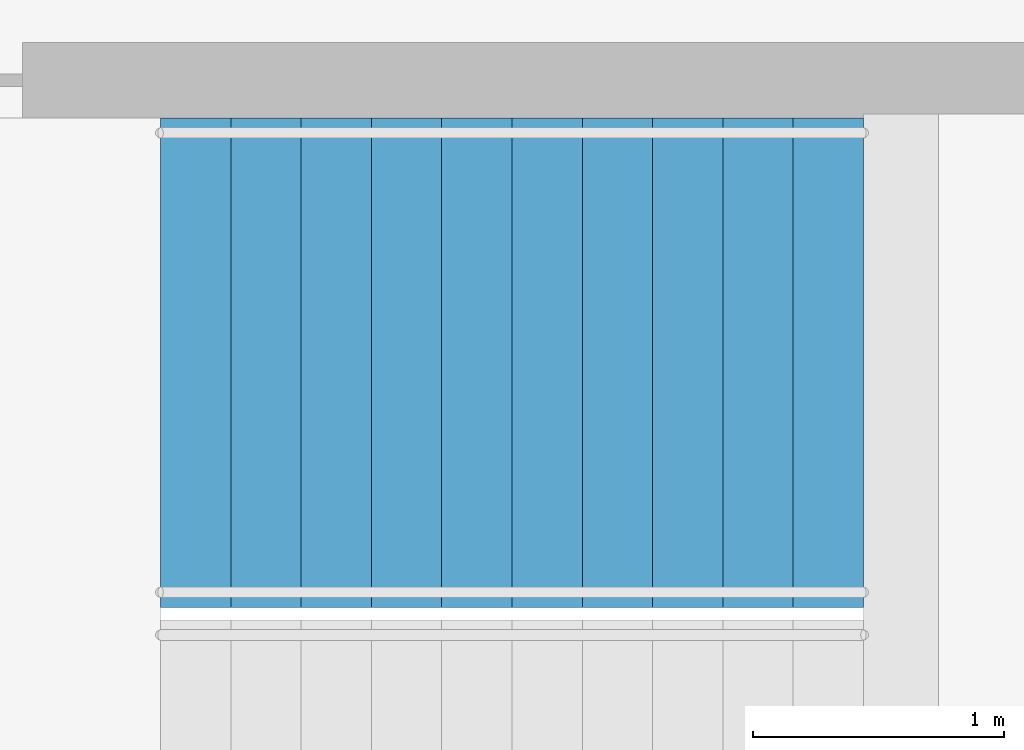
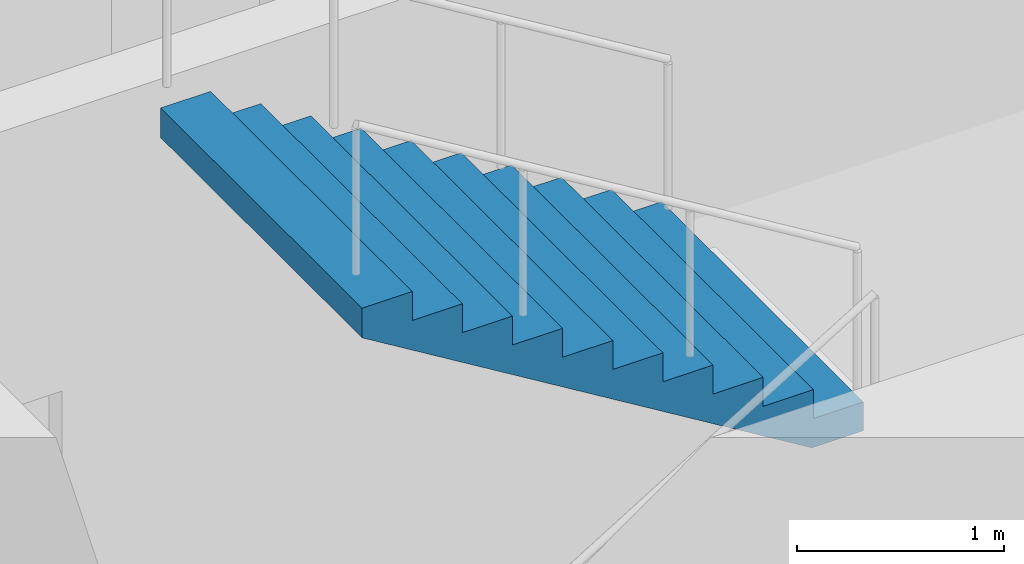
# One storey, part 21 of 24: 1 stair flight, 1 element without a shape of its own.
"""IFC4 building model written with IfcOpenShell, lengths in metres."""

from ifc_helpers import new_model, si_unit, direction, frame, origin, place, context, subcontext, project, spatial, triangles, material, type_object, element, aggregate, save


model = new_model("IFC4")

# Units and contexts
model_context = context("Model", 3, precision=1e-05, world=origin(), true_north=direction((0.0, 1.0)))
body_context = subcontext(model_context, "Body", "Model", "MODEL_VIEW")
ifc_project = project(units=[si_unit("LENGTHUNIT", "METRE"), si_unit("AREAUNIT", "SQUARE_METRE"), si_unit("VOLUMEUNIT", "CUBIC_METRE"), si_unit("PLANEANGLEUNIT", "RADIAN"), si_unit("MASSUNIT", "GRAM", prefix="KILO")], contexts=[model_context])

# Site, building, storey
site_placement = place(None, origin())
site = spatial("IfcSite", under=ifc_project, at=site_placement, CompositionType="ELEMENT")
building_placement = place(site_placement, origin())
building = spatial("IfcBuilding", under=site, at=building_placement, Name="Orbita Commons", CompositionType="ELEMENT")
storey_placement = place(building_placement, frame((0.0, 0.0, 20.199951171875)))
storey = spatial("IfcBuildingStorey", under=building, at=storey_placement, Name="L04", CompositionType="ELEMENT", Elevation=20.199951171875)

# Stair, stair flight
ifc_material_1 = material(Name="Precast concrete C40/50", Category="concrete")
stair_type = type_object("IfcStairType", Name="Exit stair S1 2 flights 11 risers 170", PredefinedType="HALF_TURN_STAIR", material=ifc_material_1)
stair_placement = place(storey_placement, origin())
stair = element("IfcStair", 1, at=stair_placement, inside=storey, type_object=stair_type, Name="Exit stair S1 L04", PredefinedType="HALF_TURN_STAIR")
ifc_material_2 = material(Name="Precast concrete C40/50", Category="concrete")
stair_flight_type = type_object("IfcStairFlightType", Name="Stair flight 11 risers 170 x 280", PredefinedType="STRAIGHT", material=ifc_material_2)
stair_flight_placement = place(storey_placement, frame((23.25, 29.27490234375, 1.875), z_axis=(0.0, 0.0, 1.0), x_axis=(-1.0, 0.0, 0.0)))
stair_flight = element("IfcStairFlight", 2, at=stair_flight_placement, type_object=stair_flight_type, Name="S1 flight 2", NumberOfRisers=11, NumberOfTreads=10, PredefinedType="STRAIGHT", RiserHeight=0.170454545, TreadLength=0.28, context=body_context, shape_type="Tessellation", body=[
    triangles([(0.0, 0.974976, 0.0), (0.0, 0.974976, 0.021307), (0.0, 0.81248, 0.021307), (0.0, 0.81248, 0.0), (0.0, 0.649984, 0.021307), (0.0, 0.649984, 0.0), (0.0, 0.487488, 0.021307), (0.0, 0.487488, 0.0), (0.0, 0.324992, 0.021307), (0.0, 0.324992, 0.0), (0.0, 0.162496, 0.021307), (0.0, 0.162496, 0.0), (0.0, 0.0, 0.021307), (0.0, 0.0, 0.0), (0.0, -0.162496, 0.021307), (0.0, -0.162496, 0.0), (0.0, -0.324992, 0.021307), (0.0, -0.324992, 0.0), (0.0, -0.487488, 0.021307), (0.0, -0.487488, 0.0), (0.0, -0.649984, 0.021307), (0.0, -0.649984, 0.0), (0.0, -0.81248, 0.021307), (0.0, -0.81248, 0.0), (0.0, -0.974976, 0.021307), (0.0, -0.974976, 0.0), (0.0, 0.974976, 0.042614), (0.0, 0.81248, 0.042614), (0.0, 0.649984, 0.042614), (0.0, 0.487488, 0.042614), (0.0, 0.324992, 0.042614), (0.0, 0.162496, 0.042614), (0.0, 0.0, 0.042614), (0.0, -0.162496, 0.042614), (0.0, -0.324992, 0.042614), (0.0, -0.487488, 0.042614), (0.0, -0.649984, 0.042614), (0.0, -0.81248, 0.042614), (0.0, -0.974976, 0.042614), (0.0, 0.974976, 0.06392), (0.0, 0.81248, 0.06392), (0.0, 0.649984, 0.06392), (0.0, 0.487488, 0.06392), (0.0, 0.324992, 0.06392), (0.0, 0.162496, 0.06392), (0.0, 0.0, 0.06392), (0.0, -0.162496, 0.06392), (0.0, -0.324992, 0.06392), (0.0, -0.487488, 0.06392), (0.0, -0.649984, 0.06392), (0.0, -0.81248, 0.06392), (0.0, -0.974976, 0.06392), (0.0, 0.974976, 0.085227), (0.0, 0.81248, 0.085227), (0.0, 0.649984, 0.085227), (0.0, 0.487488, 0.085227), (0.0, 0.324992, 0.085227), (0.0, 0.162496, 0.085227), (0.0, 0.0, 0.085227), (0.0, -0.162496, 0.085227), (0.0, -0.324992, 0.085227), (0.0, -0.487488, 0.085227), (0.0, -0.649984, 0.085227), (0.0, -0.81248, 0.085227), (0.0, -0.974976, 0.085227), (0.0, 0.974976, 0.106534), (0.0, 0.81248, 0.106534), (0.0, 0.649984, 0.106534), (0.0, 0.487488, 0.106534), (0.0, 0.324992, 0.106534), (0.0, 0.162496, 0.106534), (0.0, 0.0, 0.106534), (0.0, -0.162496, 0.106534), (0.0, -0.324992, 0.106534), (0.0, -0.487488, 0.106534), (0.0, -0.649984, 0.106534), (0.0, -0.81248, 0.106534), (0.0, -0.974976, 0.106534), (0.0, 0.974976, 0.127841), (0.0, 0.81248, 0.127841), (0.0, 0.649984, 0.127841), (0.0, 0.487488, 0.127841), (0.0, 0.324992, 0.127841), (0.0, 0.162496, 0.127841), (0.0, 0.0, 0.127841), (0.0, -0.162496, 0.127841), (0.0, -0.324992, 0.127841), (0.0, -0.487488, 0.127841), (0.0, -0.649984, 0.127841), (0.0, -0.81248, 0.127841), (0.0, -0.974976, 0.127841), (0.0, 0.974976, 0.149148), (0.0, 0.81248, 0.149148), (0.0, 0.649984, 0.149148), (0.0, 0.487488, 0.149148), (0.0, 0.324992, 0.149148), (0.0, 0.162496, 0.149148), (0.0, 0.0, 0.149148), (0.0, -0.162496, 0.149148), (0.0, -0.324992, 0.149148), (0.0, -0.487488, 0.149148), (0.0, -0.649984, 0.149148), (0.0, -0.81248, 0.149148), (0.0, -0.974976, 0.149148), (0.0, 0.974976, 0.170455), (0.0, 0.81248, 0.170455), (0.0, 0.649984, 0.170455), (0.0, 0.487488, 0.170455), (0.0, 0.324992, 0.170455), (0.0, 0.162496, 0.170455), (0.0, 0.0, 0.170455), (0.0, -0.162496, 0.170455), (0.0, -0.324992, 0.170455), (0.0, -0.487488, 0.170455), (0.0, -0.649984, 0.170455), (0.0, -0.81248, 0.170455), (0.0, -0.974976, 0.170455), (0.28, 0.974976, 0.170455), (0.28, 0.81248, 0.170455), (0.28, 0.649984, 0.170455), (0.28, 0.487488, 0.170455), (0.28, 0.324992, 0.170455), (0.28, 0.162496, 0.170455), (0.28, 0.0, 0.170455), (0.28, -0.162496, 0.170455), (0.28, -0.324992, 0.170455), (0.28, -0.487488, 0.170455), (0.28, -0.649984, 0.170455), (0.28, -0.81248, 0.170455), (0.28, -0.974976, 0.170455), (0.28, 0.974976, 0.340909), (0.28, 0.81248, 0.340909), (0.28, 0.649984, 0.340909), (0.28, 0.487488, 0.340909), (0.28, 0.324992, 0.340909), (0.28, 0.162496, 0.340909), (0.28, 0.0, 0.340909), (0.28, -0.162496, 0.340909), (0.28, -0.324992, 0.340909), (0.28, -0.487488, 0.340909), (0.28, -0.649984, 0.340909), (0.28, -0.81248, 0.340909), (0.28, -0.974976, 0.340909), (0.56, 0.974976, 0.340909), (0.56, 0.81248, 0.340909), (0.56, 0.649984, 0.340909), (0.56, 0.487488, 0.340909), (0.56, 0.324992, 0.340909), (0.56, 0.162496, 0.340909), (0.56, 0.0, 0.340909), (0.56, -0.162496, 0.340909), (0.56, -0.324992, 0.340909), (0.56, -0.487488, 0.340909), (0.56, -0.649984, 0.340909), (0.56, -0.81248, 0.340909), (0.56, -0.974976, 0.340909), (0.56, 0.974976, 0.511364), (0.56, 0.81248, 0.511364), (0.56, 0.649984, 0.511364), (0.56, 0.487488, 0.511364), (0.56, 0.324992, 0.511364), (0.56, 0.162496, 0.511364), (0.56, 0.0, 0.511364), (0.56, -0.162496, 0.511364), (0.56, -0.324992, 0.511364), (0.56, -0.487488, 0.511364), (0.56, -0.649984, 0.511364), (0.56, -0.81248, 0.511364), (0.56, -0.974976, 0.511364), (0.84, 0.974976, 0.511364), (0.84, 0.81248, 0.511364), (0.84, 0.649984, 0.511364), (0.84, 0.487488, 0.511364), (0.84, 0.324992, 0.511364), (0.84, 0.162496, 0.511364), (0.84, 0.0, 0.511364), (0.84, -0.162496, 0.511364), (0.84, -0.324992, 0.511364), (0.84, -0.487488, 0.511364), (0.84, -0.649984, 0.511364), (0.84, -0.81248, 0.511364), (0.84, -0.974976, 0.511364), (0.84, 0.974976, 0.681818), (0.84, 0.81248, 0.681818), (0.84, 0.649984, 0.681818), (0.84, 0.487488, 0.681818), (0.84, 0.324992, 0.681818), (0.84, 0.162496, 0.681818), (0.84, 0.0, 0.681818), (0.84, -0.162496, 0.681818), (0.84, -0.324992, 0.681818), (0.84, -0.487488, 0.681818), (0.84, -0.649984, 0.681818), (0.84, -0.81248, 0.681818), (0.84, -0.974976, 0.681818), (1.12, 0.974976, 0.681818), (1.12, 0.81248, 0.681818), (1.12, 0.649984, 0.681818), (1.12, 0.487488, 0.681818), (1.12, 0.324992, 0.681818), (1.12, 0.162496, 0.681818), (1.12, 0.0, 0.681818), (1.12, -0.162496, 0.681818), (1.12, -0.324992, 0.681818), (1.12, -0.487488, 0.681818), (1.12, -0.649984, 0.681818), (1.12, -0.81248, 0.681818), (1.12, -0.974976, 0.681818), (1.12, 0.974976, 0.852273), (1.12, 0.81248, 0.852273), (1.12, 0.649984, 0.852273), (1.12, 0.487488, 0.852273), (1.12, 0.324992, 0.852273), (1.12, 0.162496, 0.852273), (1.12, 0.0, 0.852273), (1.12, -0.162496, 0.852273), (1.12, -0.324992, 0.852273), (1.12, -0.487488, 0.852273), (1.12, -0.649984, 0.852273), (1.12, -0.81248, 0.852273), (1.12, -0.974976, 0.852273), (1.4, 0.974976, 0.852273), (1.4, 0.81248, 0.852273), (1.4, 0.649984, 0.852273), (1.4, 0.487488, 0.852273), (1.4, 0.324992, 0.852273), (1.4, 0.162496, 0.852273), (1.4, 0.0, 0.852273), (1.4, -0.162496, 0.852273), (1.4, -0.324992, 0.852273), (1.4, -0.487488, 0.852273), (1.4, -0.649984, 0.852273), (1.4, -0.81248, 0.852273), (1.4, -0.974976, 0.852273), (1.4, 0.974976, 1.022727), (1.4, 0.81248, 1.022727), (1.4, 0.649984, 1.022727), (1.4, 0.487488, 1.022727), (1.4, 0.324992, 1.022727), (1.4, 0.162496, 1.022727), (1.4, 0.0, 1.022727), (1.4, -0.162496, 1.022727), (1.4, -0.324992, 1.022727), (1.4, -0.487488, 1.022727), (1.4, -0.649984, 1.022727), (1.4, -0.81248, 1.022727), (1.4, -0.974976, 1.022727), (1.68, 0.974976, 1.022727), (1.68, 0.81248, 1.022727), (1.68, 0.649984, 1.022727), (1.68, 0.487488, 1.022727), (1.68, 0.324992, 1.022727), (1.68, 0.162496, 1.022727), (1.68, 0.0, 1.022727), (1.68, -0.162496, 1.022727), (1.68, -0.324992, 1.022727), (1.68, -0.487488, 1.022727), (1.68, -0.649984, 1.022727), (1.68, -0.81248, 1.022727), (1.68, -0.974976, 1.022727), (1.68, 0.974976, 1.193182), (1.68, 0.81248, 1.193182), (1.68, 0.649984, 1.193182), (1.68, 0.487488, 1.193182), (1.68, 0.324992, 1.193182), (1.68, 0.162496, 1.193182), (1.68, 0.0, 1.193182), (1.68, -0.162496, 1.193182), (1.68, -0.324992, 1.193182), (1.68, -0.487488, 1.193182), (1.68, -0.649984, 1.193182), (1.68, -0.81248, 1.193182), (1.68, -0.974976, 1.193182), (1.96, 0.974976, 1.193182), (1.96, 0.81248, 1.193182), (1.96, 0.649984, 1.193182), (1.96, 0.487488, 1.193182), (1.96, 0.324992, 1.193182), (1.96, 0.162496, 1.193182), (1.96, 0.0, 1.193182), (1.96, -0.162496, 1.193182), (1.96, -0.324992, 1.193182), (1.96, -0.487488, 1.193182), (1.96, -0.649984, 1.193182), (1.96, -0.81248, 1.193182), (1.96, -0.974976, 1.193182), (1.96, 0.974976, 1.363636), (1.96, 0.81248, 1.363636), (1.96, 0.649984, 1.363636), (1.96, 0.487488, 1.363636), (1.96, 0.324992, 1.363636), (1.96, 0.162496, 1.363636), (1.96, 0.0, 1.363636), (1.96, -0.162496, 1.363636), (1.96, -0.324992, 1.363636), (1.96, -0.487488, 1.363636), (1.96, -0.649984, 1.363636), (1.96, -0.81248, 1.363636), (1.96, -0.974976, 1.363636), (2.24, 0.974976, 1.363636), (2.24, 0.81248, 1.363636), (2.24, 0.649984, 1.363636), (2.24, 0.487488, 1.363636), (2.24, 0.324992, 1.363636), (2.24, 0.162496, 1.363636), (2.24, 0.0, 1.363636), (2.24, -0.162496, 1.363636), (2.24, -0.324992, 1.363636), (2.24, -0.487488, 1.363636), (2.24, -0.649984, 1.363636), (2.24, -0.81248, 1.363636), (2.24, -0.974976, 1.363636), (2.24, 0.974976, 1.534091), (2.24, 0.81248, 1.534091), (2.24, 0.649984, 1.534091), (2.24, 0.487488, 1.534091), (2.24, 0.324992, 1.534091), (2.24, 0.162496, 1.534091), (2.24, 0.0, 1.534091), (2.24, -0.162496, 1.534091), (2.24, -0.324992, 1.534091), (2.24, -0.487488, 1.534091), (2.24, -0.649984, 1.534091), (2.24, -0.81248, 1.534091), (2.24, -0.974976, 1.534091), (2.52, 0.974976, 1.534091), (2.52, 0.81248, 1.534091), (2.52, 0.649984, 1.534091), (2.52, 0.487488, 1.534091), (2.52, 0.324992, 1.534091), (2.52, 0.162496, 1.534091), (2.52, 0.0, 1.534091), (2.52, -0.162496, 1.534091), (2.52, -0.324992, 1.534091), (2.52, -0.487488, 1.534091), (2.52, -0.649984, 1.534091), (2.52, -0.81248, 1.534091), (2.52, -0.974976, 1.534091), (2.52, 0.974976, 1.704545), (2.52, 0.81248, 1.704545), (2.52, 0.649984, 1.704545), (2.52, 0.487488, 1.704545), (2.52, 0.324992, 1.704545), (2.52, 0.162496, 1.704545), (2.52, 0.0, 1.704545), (2.52, -0.162496, 1.704545), (2.52, -0.324992, 1.704545), (2.52, -0.487488, 1.704545), (2.52, -0.649984, 1.704545), (2.52, -0.81248, 1.704545), (2.52, -0.974976, 1.704545), (2.8, 0.974976, 1.704545), (2.8, 0.81248, 1.704545), (2.8, 0.649984, 1.704545), (2.8, 0.487488, 1.704545), (2.8, 0.324992, 1.704545), (2.8, 0.162496, 1.704545), (2.8, 0.0, 1.704545), (2.8, -0.162496, 1.704545), (2.8, -0.324992, 1.704545), (2.8, -0.487488, 1.704545), (2.8, -0.649984, 1.704545), (2.8, -0.81248, 1.704545), (2.8, -0.974976, 1.704545), (2.8, 0.974976, 1.682609), (2.8, 0.81248, 1.682609), (2.8, 0.649984, 1.682609), (2.8, 0.487488, 1.682609), (2.8, 0.324992, 1.682609), (2.8, 0.162496, 1.682609), (2.8, 0.0, 1.682609), (2.8, -0.162496, 1.682609), (2.8, -0.324992, 1.682609), (2.8, -0.487488, 1.682609), (2.8, -0.649984, 1.682609), (2.8, -0.81248, 1.682609), (2.8, -0.974976, 1.682609), (2.8, 0.974976, 1.660672), (2.8, 0.81248, 1.660672), (2.8, 0.649984, 1.660672), (2.8, 0.487488, 1.660672), (2.8, 0.324992, 1.660672), (2.8, 0.162496, 1.660672), (2.8, 0.0, 1.660672), (2.8, -0.162496, 1.660672), (2.8, -0.324992, 1.660672), (2.8, -0.487488, 1.660672), (2.8, -0.649984, 1.660672), (2.8, -0.81248, 1.660672), (2.8, -0.974976, 1.660672), (2.8, 0.974976, 1.638735), (2.8, 0.81248, 1.638735), (2.8, 0.649984, 1.638735), (2.8, 0.487488, 1.638735), (2.8, 0.324992, 1.638735), (2.8, 0.162496, 1.638735), (2.8, 0.0, 1.638735), (2.8, -0.162496, 1.638735), (2.8, -0.324992, 1.638735), (2.8, -0.487488, 1.638735), (2.8, -0.649984, 1.638735), (2.8, -0.81248, 1.638735), (2.8, -0.974976, 1.638735), (2.8, 0.974976, 1.616798), (2.8, 0.81248, 1.616798), (2.8, 0.649984, 1.616798), (2.8, 0.487488, 1.616798), (2.8, 0.324992, 1.616798), (2.8, 0.162496, 1.616798), (2.8, 0.0, 1.616798), (2.8, -0.162496, 1.616798), (2.8, -0.324992, 1.616798), (2.8, -0.487488, 1.616798), (2.8, -0.649984, 1.616798), (2.8, -0.81248, 1.616798), (2.8, -0.974976, 1.616798), (2.8, 0.974976, 1.594861), (2.8, 0.81248, 1.594861), (2.8, 0.649984, 1.594861), (2.8, 0.487488, 1.594861), (2.8, 0.324992, 1.594861), (2.8, 0.162496, 1.594861), (2.8, 0.0, 1.594861), (2.8, -0.162496, 1.594861), (2.8, -0.324992, 1.594861), (2.8, -0.487488, 1.594861), (2.8, -0.649984, 1.594861), (2.8, -0.81248, 1.594861), (2.8, -0.974976, 1.594861), (2.8, 0.974976, 1.572925), (2.8, 0.81248, 1.572925), (2.8, 0.649984, 1.572925), (2.8, 0.487488, 1.572925), (2.8, 0.324992, 1.572925), (2.8, 0.162496, 1.572925), (2.8, 0.0, 1.572925), (2.8, -0.162496, 1.572925), (2.8, -0.324992, 1.572925), (2.8, -0.487488, 1.572925), (2.8, -0.649984, 1.572925), (2.8, -0.81248, 1.572925), (2.8, -0.974976, 1.572925), (2.8, 0.974976, 1.550988), (2.8, 0.81248, 1.550988), (2.8, 0.649984, 1.550988), (2.8, 0.487488, 1.550988), (2.8, 0.324992, 1.550988), (2.8, 0.162496, 1.550988), (2.8, 0.0, 1.550988), (2.8, -0.162496, 1.550988), (2.8, -0.324992, 1.550988), (2.8, -0.487488, 1.550988), (2.8, -0.649984, 1.550988), (2.8, -0.81248, 1.550988), (2.8, -0.974976, 1.550988), (2.8, 0.974976, 1.529051), (2.8, 0.81248, 1.529051), (2.8, 0.649984, 1.529051), (2.8, 0.487488, 1.529051), (2.8, 0.324992, 1.529051), (2.8, 0.162496, 1.529051), (2.8, 0.0, 1.529051), (2.8, -0.162496, 1.529051), (2.8, -0.324992, 1.529051), (2.8, -0.487488, 1.529051), (2.8, -0.649984, 1.529051), (2.8, -0.81248, 1.529051), (2.8, -0.974976, 1.529051), (0.288279, 0.974976, 0.0), (0.288279, 0.81248, 0.0), (0.288279, 0.649984, 0.0), (0.288279, 0.487488, 0.0), (0.288279, 0.324992, 0.0), (0.288279, 0.162496, 0.0), (0.288279, 0.0, 0.0), (0.288279, -0.162496, 0.0), (0.288279, -0.324992, 0.0), (0.288279, -0.487488, 0.0), (0.288279, -0.649984, 0.0), (0.288279, -0.81248, 0.0), (0.288279, -0.974976, 0.0)], [[3, 2, 1], [4, 3, 1], [5, 3, 4], [6, 5, 4], [7, 5, 6], [8, 7, 6], [9, 7, 8], [10, 9, 8], [11, 9, 10], [12, 11, 10], [13, 11, 12], [14, 13, 12], [15, 13, 14], [16, 15, 14], [17, 15, 16], [18, 17, 16], [19, 17, 18], [20, 19, 18], [21, 19, 20], [22, 21, 20], [23, 21, 22], [24, 23, 22], [25, 23, 24], [26, 25, 24], [28, 27, 2], [3, 28, 2], [29, 28, 3], [5, 29, 3], [30, 29, 5], [7, 30, 5], [31, 30, 7], [9, 31, 7], [32, 31, 9], [11, 32, 9], [33, 32, 11], [13, 33, 11], [34, 33, 13], [15, 34, 13], [35, 34, 15], [17, 35, 15], [36, 35, 17], [19, 36, 17], [37, 36, 19], [21, 37, 19], [38, 37, 21], [23, 38, 21], [39, 38, 23], [25, 39, 23], [41, 40, 27], [28, 41, 27], [42, 41, 28], [29, 42, 28], [43, 42, 29], [30, 43, 29], [44, 43, 30], [31, 44, 30], [45, 44, 31], [32, 45, 31], [46, 45, 32], [33, 46, 32], [47, 46, 33], [34, 47, 33], [48, 47, 34], [35, 48, 34], [49, 48, 35], [36, 49, 35], [50, 49, 36], [37, 50, 36], [51, 50, 37], [38, 51, 37], [52, 51, 38], [39, 52, 38], [54, 53, 40], [41, 54, 40], [55, 54, 41], [42, 55, 41], [56, 55, 42], [43, 56, 42], [57, 56, 43], [44, 57, 43], [58, 57, 44], [45, 58, 44], [59, 58, 45], [46, 59, 45], [60, 59, 46], [47, 60, 46], [61, 60, 47], [48, 61, 47], [62, 61, 48], [49, 62, 48], [63, 62, 49], [50, 63, 49], [64, 63, 50], [51, 64, 50], [65, 64, 51], [52, 65, 51], [67, 66, 53], [54, 67, 53], [68, 67, 54], [55, 68, 54], [69, 68, 55], [56, 69, 55], [70, 69, 56], [57, 70, 56], [71, 70, 57], [58, 71, 57], [72, 71, 58], [59, 72, 58], [73, 72, 59], [60, 73, 59], [74, 73, 60], [61, 74, 60], [75, 74, 61], [62, 75, 61], [76, 75, 62], [63, 76, 62], [77, 76, 63], [64, 77, 63], [78, 77, 64], [65, 78, 64], [80, 79, 66], [67, 80, 66], [81, 80, 67], [68, 81, 67], [82, 81, 68], [69, 82, 68], [83, 82, 69], [70, 83, 69], [84, 83, 70], [71, 84, 70], [85, 84, 71], [72, 85, 71], [86, 85, 72], [73, 86, 72], [87, 86, 73], [74, 87, 73], [88, 87, 74], [75, 88, 74], [89, 88, 75], [76, 89, 75], [90, 89, 76], [77, 90, 76], [91, 90, 77], [78, 91, 77], [93, 92, 79], [80, 93, 79], [94, 93, 80], [81, 94, 80], [95, 94, 81], [82, 95, 81], [96, 95, 82], [83, 96, 82], [97, 96, 83], [84, 97, 83], [98, 97, 84], [85, 98, 84], [99, 98, 85], [86, 99, 85], [100, 99, 86], [87, 100, 86], [101, 100, 87], [88, 101, 87], [102, 101, 88], [89, 102, 88], [103, 102, 89], [90, 103, 89], [104, 103, 90], [91, 104, 90], [106, 105, 92], [93, 106, 92], [107, 106, 93], [94, 107, 93], [108, 107, 94], [95, 108, 94], [109, 108, 95], [96, 109, 95], [110, 109, 96], [97, 110, 96], [111, 110, 97], [98, 111, 97], [112, 111, 98], [99, 112, 98], [113, 112, 99], [100, 113, 99], [114, 113, 100], [101, 114, 100], [115, 114, 101], [102, 115, 101], [116, 115, 102], [103, 116, 102], [117, 116, 103], [104, 117, 103], [119, 118, 105], [106, 119, 105], [120, 119, 106], [107, 120, 106], [121, 120, 107], [108, 121, 107], [122, 121, 108], [109, 122, 108], [123, 122, 109], [110, 123, 109], [124, 123, 110], [111, 124, 110], [125, 124, 111], [112, 125, 111], [126, 125, 112], [113, 126, 112], [127, 126, 113], [114, 127, 113], [128, 127, 114], [115, 128, 114], [129, 128, 115], [116, 129, 115], [130, 129, 116], [117, 130, 116], [132, 131, 118], [119, 132, 118], [133, 132, 119], [120, 133, 119], [134, 133, 120], [121, 134, 120], [135, 134, 121], [122, 135, 121], [136, 135, 122], [123, 136, 122], [137, 136, 123], [124, 137, 123], [138, 137, 124], [125, 138, 124], [139, 138, 125], [126, 139, 125], [140, 139, 126], [127, 140, 126], [141, 140, 127], [128, 141, 127], [142, 141, 128], [129, 142, 128], [143, 142, 129], [130, 143, 129], [145, 144, 131], [132, 145, 131], [146, 145, 132], [133, 146, 132], [147, 146, 133], [134, 147, 133], [148, 147, 134], [135, 148, 134], [149, 148, 135], [136, 149, 135], [150, 149, 136], [137, 150, 136], [151, 150, 137], [138, 151, 137], [152, 151, 138], [139, 152, 138], [153, 152, 139], [140, 153, 139], [154, 153, 140], [141, 154, 140], [155, 154, 141], [142, 155, 141], [156, 155, 142], [143, 156, 142], [158, 157, 144], [145, 158, 144], [159, 158, 145], [146, 159, 145], [160, 159, 146], [147, 160, 146], [161, 160, 147], [148, 161, 147], [162, 161, 148], [149, 162, 148], [163, 162, 149], [150, 163, 149], [164, 163, 150], [151, 164, 150], [165, 164, 151], [152, 165, 151], [166, 165, 152], [153, 166, 152], [167, 166, 153], [154, 167, 153], [168, 167, 154], [155, 168, 154], [169, 168, 155], [156, 169, 155], [171, 170, 157], [158, 171, 157], [172, 171, 158], [159, 172, 158], [173, 172, 159], [160, 173, 159], [174, 173, 160], [161, 174, 160], [175, 174, 161], [162, 175, 161], [176, 175, 162], [163, 176, 162], [177, 176, 163], [164, 177, 163], [178, 177, 164], [165, 178, 164], [179, 178, 165], [166, 179, 165], [180, 179, 166], [167, 180, 166], [181, 180, 167], [168, 181, 167], [182, 181, 168], [169, 182, 168], [184, 183, 170], [171, 184, 170], [185, 184, 171], [172, 185, 171], [186, 185, 172], [173, 186, 172], [187, 186, 173], [174, 187, 173], [188, 187, 174], [175, 188, 174], [189, 188, 175], [176, 189, 175], [190, 189, 176], [177, 190, 176], [191, 190, 177], [178, 191, 177], [192, 191, 178], [179, 192, 178], [193, 192, 179], [180, 193, 179], [194, 193, 180], [181, 194, 180], [195, 194, 181], [182, 195, 181], [197, 196, 183], [184, 197, 183], [198, 197, 184], [185, 198, 184], [199, 198, 185], [186, 199, 185], [200, 199, 186], [187, 200, 186], [201, 200, 187], [188, 201, 187], [202, 201, 188], [189, 202, 188], [203, 202, 189], [190, 203, 189], [204, 203, 190], [191, 204, 190], [205, 204, 191], [192, 205, 191], [206, 205, 192], [193, 206, 192], [207, 206, 193], [194, 207, 193], [208, 207, 194], [195, 208, 194], [210, 209, 196], [197, 210, 196], [211, 210, 197], [198, 211, 197], [212, 211, 198], [199, 212, 198], [213, 212, 199], [200, 213, 199], [214, 213, 200], [201, 214, 200], [215, 214, 201], [202, 215, 201], [216, 215, 202], [203, 216, 202], [217, 216, 203], [204, 217, 203], [218, 217, 204], [205, 218, 204], [219, 218, 205], [206, 219, 205], [220, 219, 206], [207, 220, 206], [221, 220, 207], [208, 221, 207], [223, 222, 209], [210, 223, 209], [224, 223, 210], [211, 224, 210], [225, 224, 211], [212, 225, 211], [226, 225, 212], [213, 226, 212], [227, 226, 213], [214, 227, 213], [228, 227, 214], [215, 228, 214], [229, 228, 215], [216, 229, 215], [230, 229, 216], [217, 230, 216], [231, 230, 217], [218, 231, 217], [232, 231, 218], [219, 232, 218], [233, 232, 219], [220, 233, 219], [234, 233, 220], [221, 234, 220], [236, 235, 222], [223, 236, 222], [237, 236, 223], [224, 237, 223], [238, 237, 224], [225, 238, 224], [239, 238, 225], [226, 239, 225], [240, 239, 226], [227, 240, 226], [241, 240, 227], [228, 241, 227], [242, 241, 228], [229, 242, 228], [243, 242, 229], [230, 243, 229], [244, 243, 230], [231, 244, 230], [245, 244, 231], [232, 245, 231], [246, 245, 232], [233, 246, 232], [247, 246, 233], [234, 247, 233], [249, 248, 235], [236, 249, 235], [250, 249, 236], [237, 250, 236], [251, 250, 237], [238, 251, 237], [252, 251, 238], [239, 252, 238], [253, 252, 239], [240, 253, 239], [254, 253, 240], [241, 254, 240], [255, 254, 241], [242, 255, 241], [256, 255, 242], [243, 256, 242], [257, 256, 243], [244, 257, 243], [258, 257, 244], [245, 258, 244], [259, 258, 245], [246, 259, 245], [260, 259, 246], [247, 260, 246], [262, 261, 248], [249, 262, 248], [263, 262, 249], [250, 263, 249], [264, 263, 250], [251, 264, 250], [265, 264, 251], [252, 265, 251], [266, 265, 252], [253, 266, 252], [267, 266, 253], [254, 267, 253], [268, 267, 254], [255, 268, 254], [269, 268, 255], [256, 269, 255], [270, 269, 256], [257, 270, 256], [271, 270, 257], [258, 271, 257], [272, 271, 258], [259, 272, 258], [273, 272, 259], [260, 273, 259], [275, 274, 261], [262, 275, 261], [276, 275, 262], [263, 276, 262], [277, 276, 263], [264, 277, 263], [278, 277, 264], [265, 278, 264], [279, 278, 265], [266, 279, 265], [280, 279, 266], [267, 280, 266], [281, 280, 267], [268, 281, 267], [282, 281, 268], [269, 282, 268], [283, 282, 269], [270, 283, 269], [284, 283, 270], [271, 284, 270], [285, 284, 271], [272, 285, 271], [286, 285, 272], [273, 286, 272], [288, 287, 274], [275, 288, 274], [289, 288, 275], [276, 289, 275], [290, 289, 276], [277, 290, 276], [291, 290, 277], [278, 291, 277], [292, 291, 278], [279, 292, 278], [293, 292, 279], [280, 293, 279], [294, 293, 280], [281, 294, 280], [295, 294, 281], [282, 295, 281], [296, 295, 282], [283, 296, 282], [297, 296, 283], [284, 297, 283], [298, 297, 284], [285, 298, 284], [299, 298, 285], [286, 299, 285], [301, 300, 287], [288, 301, 287], [302, 301, 288], [289, 302, 288], [303, 302, 289], [290, 303, 289], [304, 303, 290], [291, 304, 290], [305, 304, 291], [292, 305, 291], [306, 305, 292], [293, 306, 292], [307, 306, 293], [294, 307, 293], [308, 307, 294], [295, 308, 294], [309, 308, 295], [296, 309, 295], [310, 309, 296], [297, 310, 296], [311, 310, 297], [298, 311, 297], [312, 311, 298], [299, 312, 298], [314, 313, 300], [301, 314, 300], [315, 314, 301], [302, 315, 301], [316, 315, 302], [303, 316, 302], [317, 316, 303], [304, 317, 303], [318, 317, 304], [305, 318, 304], [319, 318, 305], [306, 319, 305], [320, 319, 306], [307, 320, 306], [321, 320, 307], [308, 321, 307], [322, 321, 308], [309, 322, 308], [323, 322, 309], [310, 323, 309], [324, 323, 310], [311, 324, 310], [325, 324, 311], [312, 325, 311], [327, 326, 313], [314, 327, 313], [328, 327, 314], [315, 328, 314], [329, 328, 315], [316, 329, 315], [330, 329, 316], [317, 330, 316], [331, 330, 317], [318, 331, 317], [332, 331, 318], [319, 332, 318], [333, 332, 319], [320, 333, 319], [334, 333, 320], [321, 334, 320], [335, 334, 321], [322, 335, 321], [336, 335, 322], [323, 336, 322], [337, 336, 323], [324, 337, 323], [338, 337, 324], [325, 338, 324], [340, 339, 326], [327, 340, 326], [341, 340, 327], [328, 341, 327], [342, 341, 328], [329, 342, 328], [343, 342, 329], [330, 343, 329], [344, 343, 330], [331, 344, 330], [345, 344, 331], [332, 345, 331], [346, 345, 332], [333, 346, 332], [347, 346, 333], [334, 347, 333], [348, 347, 334], [335, 348, 334], [349, 348, 335], [336, 349, 335], [350, 349, 336], [337, 350, 336], [351, 350, 337], [338, 351, 337], [353, 352, 339], [340, 353, 339], [354, 353, 340], [341, 354, 340], [355, 354, 341], [342, 355, 341], [356, 355, 342], [343, 356, 342], [357, 356, 343], [344, 357, 343], [358, 357, 344], [345, 358, 344], [359, 358, 345], [346, 359, 345], [360, 359, 346], [347, 360, 346], [361, 360, 347], [348, 361, 347], [362, 361, 348], [349, 362, 348], [363, 362, 349], [350, 363, 349], [364, 363, 350], [351, 364, 350], [366, 365, 352], [353, 366, 352], [367, 366, 353], [354, 367, 353], [368, 367, 354], [355, 368, 354], [369, 368, 355], [356, 369, 355], [370, 369, 356], [357, 370, 356], [371, 370, 357], [358, 371, 357], [372, 371, 358], [359, 372, 358], [373, 372, 359], [360, 373, 359], [374, 373, 360], [361, 374, 360], [375, 374, 361], [362, 375, 361], [376, 375, 362], [363, 376, 362], [377, 376, 363], [364, 377, 363], [379, 378, 365], [366, 379, 365], [380, 379, 366], [367, 380, 366], [381, 380, 367], [368, 381, 367], [382, 381, 368], [369, 382, 368], [383, 382, 369], [370, 383, 369], [384, 383, 370], [371, 384, 370], [385, 384, 371], [372, 385, 371], [386, 385, 372], [373, 386, 372], [387, 386, 373], [374, 387, 373], [388, 387, 374], [375, 388, 374], [389, 388, 375], [376, 389, 375], [390, 389, 376], [377, 390, 376], [392, 391, 378], [379, 392, 378], [393, 392, 379], [380, 393, 379], [394, 393, 380], [381, 394, 380], [395, 394, 381], [382, 395, 381], [396, 395, 382], [383, 396, 382], [397, 396, 383], [384, 397, 383], [398, 397, 384], [385, 398, 384], [399, 398, 385], [386, 399, 385], [400, 399, 386], [387, 400, 386], [401, 400, 387], [388, 401, 387], [402, 401, 388], [389, 402, 388], [403, 402, 389], [390, 403, 389], [405, 404, 391], [392, 405, 391], [406, 405, 392], [393, 406, 392], [407, 406, 393], [394, 407, 393], [408, 407, 394], [395, 408, 394], [409, 408, 395], [396, 409, 395], [410, 409, 396], [397, 410, 396], [411, 410, 397], [398, 411, 397], [412, 411, 398], [399, 412, 398], [413, 412, 399], [400, 413, 399], [414, 413, 400], [401, 414, 400], [415, 414, 401], [402, 415, 401], [416, 415, 402], [403, 416, 402], [418, 417, 404], [405, 418, 404], [419, 418, 405], [406, 419, 405], [420, 419, 406], [407, 420, 406], [421, 420, 407], [408, 421, 407], [422, 421, 408], [409, 422, 408], [423, 422, 409], [410, 423, 409], [424, 423, 410], [411, 424, 410], [425, 424, 411], [412, 425, 411], [426, 425, 412], [413, 426, 412], [427, 426, 413], [414, 427, 413], [428, 427, 414], [415, 428, 414], [429, 428, 415], [416, 429, 415], [431, 430, 417], [418, 431, 417], [432, 431, 418], [419, 432, 418], [433, 432, 419], [420, 433, 419], [434, 433, 420], [421, 434, 420], [435, 434, 421], [422, 435, 421], [436, 435, 422], [423, 436, 422], [437, 436, 423], [424, 437, 423], [438, 437, 424], [425, 438, 424], [439, 438, 425], [426, 439, 425], [440, 439, 426], [427, 440, 426], [441, 440, 427], [428, 441, 427], [442, 441, 428], [429, 442, 428], [444, 443, 430], [431, 444, 430], [445, 444, 431], [432, 445, 431], [446, 445, 432], [433, 446, 432], [447, 446, 433], [434, 447, 433], [448, 447, 434], [435, 448, 434], [449, 448, 435], [436, 449, 435], [450, 449, 436], [437, 450, 436], [451, 450, 437], [438, 451, 437], [452, 451, 438], [439, 452, 438], [453, 452, 439], [440, 453, 439], [454, 453, 440], [441, 454, 440], [455, 454, 441], [442, 455, 441], [457, 456, 443], [444, 457, 443], [458, 457, 444], [445, 458, 444], [459, 458, 445], [446, 459, 445], [460, 459, 446], [447, 460, 446], [461, 460, 447], [448, 461, 447], [462, 461, 448], [449, 462, 448], [463, 462, 449], [450, 463, 449], [464, 463, 450], [451, 464, 450], [465, 464, 451], [452, 465, 451], [466, 465, 452], [453, 466, 452], [467, 466, 453], [454, 467, 453], [468, 467, 454], [455, 468, 454], [470, 469, 456], [457, 470, 456], [471, 470, 457], [458, 471, 457], [472, 471, 458], [459, 472, 458], [473, 472, 459], [460, 473, 459], [474, 473, 460], [461, 474, 460], [475, 474, 461], [462, 475, 461], [476, 475, 462], [463, 476, 462], [477, 476, 463], [464, 477, 463], [478, 477, 464], [465, 478, 464], [479, 478, 465], [466, 479, 465], [480, 479, 466], [467, 480, 466], [481, 480, 467], [468, 481, 467], [4, 1, 469], [470, 4, 469], [6, 4, 470], [471, 6, 470], [8, 6, 471], [472, 8, 471], [10, 8, 472], [473, 10, 472], [12, 10, 473], [474, 12, 473], [14, 12, 474], [475, 14, 474], [16, 14, 475], [476, 16, 475], [18, 16, 476], [477, 18, 476], [20, 18, 477], [478, 20, 477], [22, 20, 478], [479, 22, 478], [24, 22, 479], [480, 24, 479], [26, 24, 480], [481, 26, 480], [456, 469, 1], [26, 481, 468], [443, 456, 1], [26, 468, 455], [430, 443, 1], [26, 455, 442], [417, 430, 1], [26, 442, 429], [404, 417, 1], [26, 429, 416], [391, 404, 1], [26, 416, 403], [378, 391, 1], [26, 403, 390], [365, 378, 1], [26, 390, 377], [339, 352, 365], [377, 364, 351], [326, 339, 365], [377, 351, 338], [300, 313, 326], [338, 325, 312], [300, 326, 365], [377, 338, 312], [274, 287, 300], [312, 299, 286], [274, 300, 365], [377, 312, 286], [248, 261, 274], [286, 273, 260], [248, 274, 365], [377, 286, 260], [222, 235, 248], [260, 247, 234], [222, 248, 365], [377, 260, 234], [196, 209, 222], [234, 221, 208], [196, 222, 365], [377, 234, 208], [170, 183, 196], [208, 195, 182], [170, 196, 365], [377, 208, 182], [144, 157, 170], [182, 169, 156], [144, 170, 365], [377, 182, 156], [118, 131, 144], [156, 143, 130], [118, 144, 365], [377, 156, 130], [118, 365, 1], [26, 377, 130], [92, 105, 118], [130, 117, 104], [79, 92, 118], [130, 104, 91], [66, 79, 118], [130, 91, 78], [53, 66, 118], [130, 78, 65], [40, 53, 118], [130, 65, 52], [27, 40, 118], [130, 52, 39], [2, 27, 118], [130, 39, 25], [1, 2, 118], [130, 25, 26]], closed=True),
])
aggregate(stair, [stair_flight])

save(model, "model.ifc")
